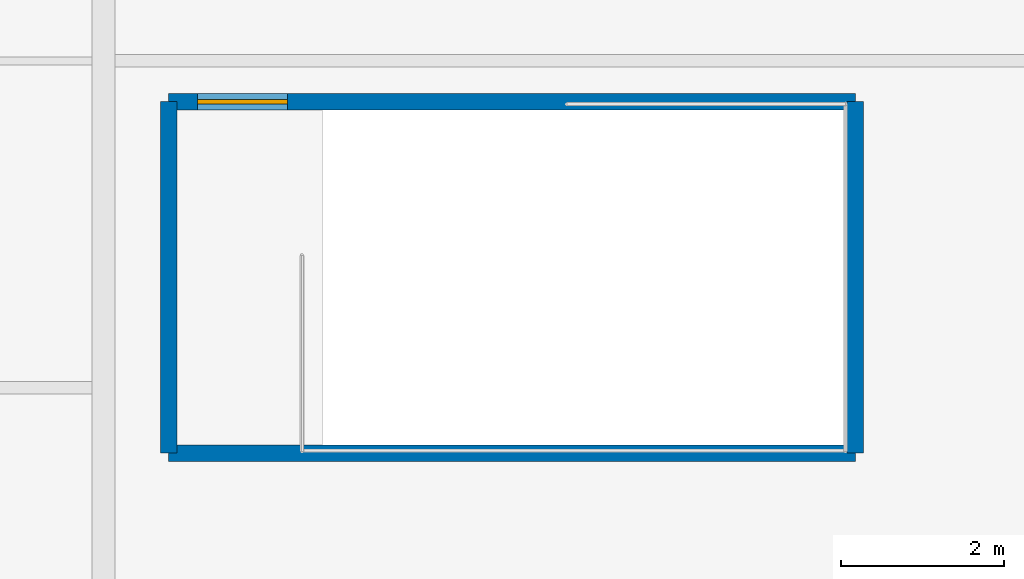
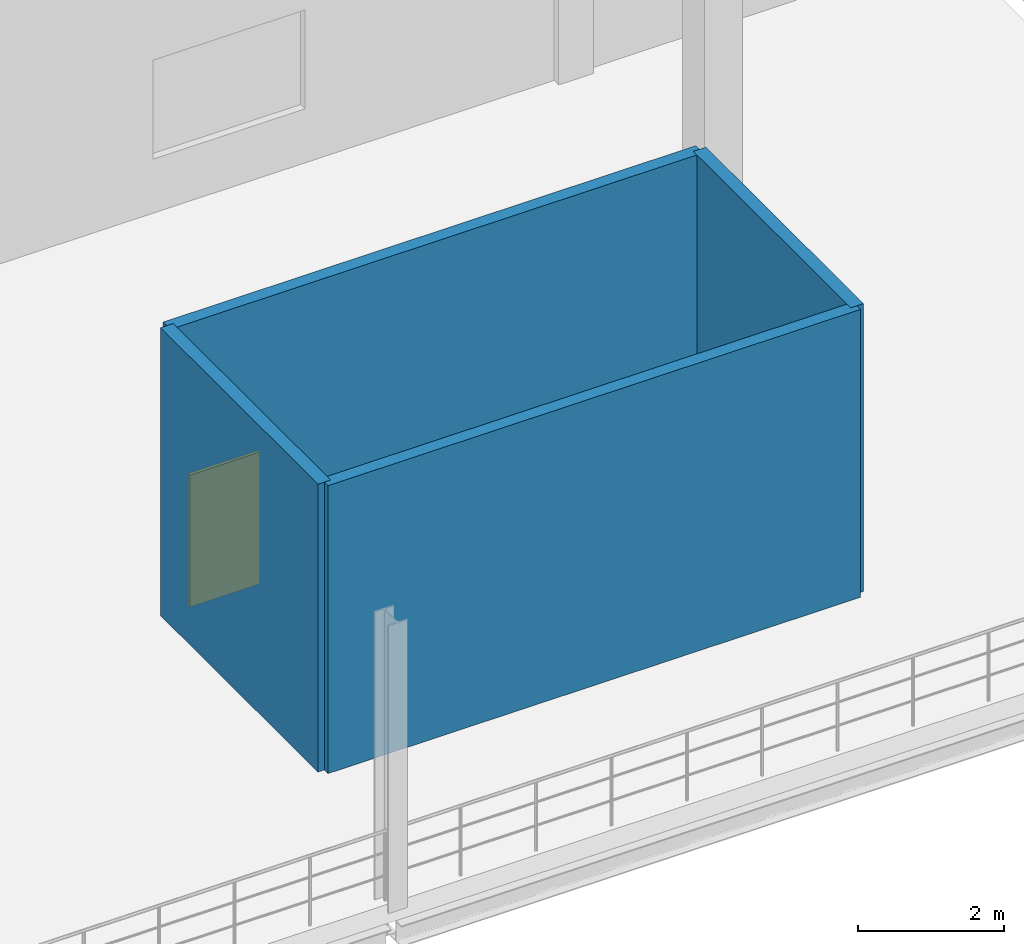
# One storey, part 40 of 52: 4 walls, 1 door, 1 opening.
"""IFC4 building model written with IfcOpenShell, lengths in metres."""

from ifc_helpers import new_model, si_unit, direction, frame, frame_2d, origin, place, context, subcontext, project, spatial, rectangle, extrude, material, layer, layer_set, type_object, element, fill, save


model = new_model("IFC4")

# Units and contexts
model_context = context("Model", 3, precision=1e-05, world=origin(), true_north=direction((0.0, 1.0)))
body_context = subcontext(model_context, "Body", "Model", "MODEL_VIEW")
ifc_project = project(units=[si_unit("LENGTHUNIT", "METRE"), si_unit("AREAUNIT", "SQUARE_METRE"), si_unit("VOLUMEUNIT", "CUBIC_METRE"), si_unit("PLANEANGLEUNIT", "RADIAN"), si_unit("MASSUNIT", "GRAM", prefix="KILO"), si_unit("THERMODYNAMICTEMPERATUREUNIT", "KELVIN"), si_unit("POWERUNIT", "WATT")], contexts=[model_context])

# Site, building, storey
site_placement = place(None, origin())
site = spatial("IfcSite", under=ifc_project, at=site_placement, CompositionType="ELEMENT")
building_placement = place(site_placement, origin())
building = spatial("IfcBuilding", under=site, at=building_placement, Name="Solmara Park Aquatics Centre", CompositionType="ELEMENT")
storey_placement = place(building_placement, frame((0.0, 0.0, 9.60009765625)))
storey = spatial("IfcBuildingStorey", under=building, at=storey_placement, Name="L02", CompositionType="ELEMENT", Elevation=9.60009765625)

# Wall
ifc_material_1 = material(Name="Concrete C35/45", Category="concrete")
ifc_layer = layer(ifc_material_1, 0.199951171875, Name="Concrete C35/45")
ifc_layer_set = layer_set([ifc_layer], Name="Concrete C35/45")
wall_type = type_object("IfcWallType", Name="STR-WL-STAIR200", PredefinedType="SHEAR", material=ifc_layer_set)
wall_1_placement = place(storey_placement, frame((144.800048828125, 39.800048828125, 0.0), z_axis=(0.0, 0.0, 1.0), x_axis=(1.0, 0.0, 0.0)))
element("IfcWall", 1, at=wall_1_placement, inside=storey, type_object=wall_type, Name="ST09 Escape Stair Wall S L02", PredefinedType="SHEAR", context=body_context, shape_type="SweptSolid", body=[
    extrude(rectangle(XDim=8.39990234375, YDim=0.199951171875, at=frame_2d((4.199951171875, 0.0))), origin(), (0.0, 0.0, 1.0), 4.7998046875),
])

# Wall, opening, door
wall_2_placement = place(storey_placement, frame((144.800048828125, 44.10009765625, 0.0), z_axis=(0.0, 0.0, 1.0), x_axis=(1.0, 0.0, 0.0)))
wall_2 = element("IfcWall", 2, at=wall_2_placement, inside=storey, type_object=wall_type, Name="ST09 Escape Stair Wall N L02", PredefinedType="SHEAR", context=body_context, shape_type="SweptSolid", body=[
    extrude(rectangle(XDim=8.39990234375, YDim=0.199951171875, at=frame_2d((4.199951171875, 0.0))), origin(), (0.0, 0.0, 1.0), 4.7998046875),
])
opening_placement = place(wall_2_placement, frame((0.35009765625, 0.0, 0.0)))
opening = element("IfcOpeningElement", 3, at=opening_placement, cuts=wall_2, Name="Opening D-11", PredefinedType="OPENING", context=body_context, shape_type="SweptSolid", body=[
    extrude(rectangle(XDim=1.10009765625, YDim=2.199951171875, at=frame_2d((0.550048828125, 1.10009765625))), frame((0.0, 0.10986328125, 0.0), z_axis=(0.0, -1.0, 0.0), x_axis=(1.0, 0.0, 0.0)), (0.0, 0.0, 1.0), 0.219970703125),
])
ifc_material_2 = material(Name="Moisture-Resistant HPL & Hardwood", Category="wood")
door_type = type_object("IfcDoorType", Name="ARC-DR-FD110x220", OperationType="NOTDEFINED", PredefinedType="DOOR", material=ifc_material_2)
door_placement = place(opening_placement, frame((1.10009765625, 0.0, 0.0), z_axis=(0.0, 0.0, 1.0), x_axis=(-1.0, 0.0, 0.0)))
door = element("IfcDoor", 4, at=door_placement, inside=storey, type_object=door_type, Name="ST09 Escape Stair Entry Door L02", OperationType="SINGLE_SWING_RIGHT", OverallHeight=2.199951171875, OverallWidth=1.10009765625, PredefinedType="DOOR", context=body_context, shape_type="SweptSolid", body=[
    extrude(rectangle(XDim=1.10009765625, YDim=2.199951171875, at=frame_2d((0.550048828125, 1.10009765625))), frame((0.0, 0.02490234375, 0.0), z_axis=(0.0, -1.0, 0.0), x_axis=(1.0, 0.0, 0.0)), (0.0, 0.0, 1.0), 0.050048828125),
])
fill(opening, door)

# Walls
for number, where, z_axis, x_axis, name in (
    (5, (144.800048828125, 39.800048828125, 0.0), (0.0, 0.0, 1.0), (0.0, 1.0, 0.0), "ST09 Escape Stair Wall W L02"),
    (6, (153.199951171875, 39.800048828125, 0.0), (0.0, 0.0, 1.0), (0.0, 1.0, 0.0), "ST09 Escape Stair Wall E L02"),
):
    element("IfcWall", number, at=place(storey_placement, frame(where, z_axis=z_axis, x_axis=x_axis)), inside=storey, type_object=wall_type, Name=name, PredefinedType="SHEAR", context=body_context, shape_type="SweptSolid", body=[
        extrude(rectangle(XDim=4.300048828125, YDim=0.199951171875, at=frame_2d((2.14990234375, 0.0))), origin(), (0.0, 0.0, 1.0), 4.7998046875),
    ])

save(model, "model.ifc")
